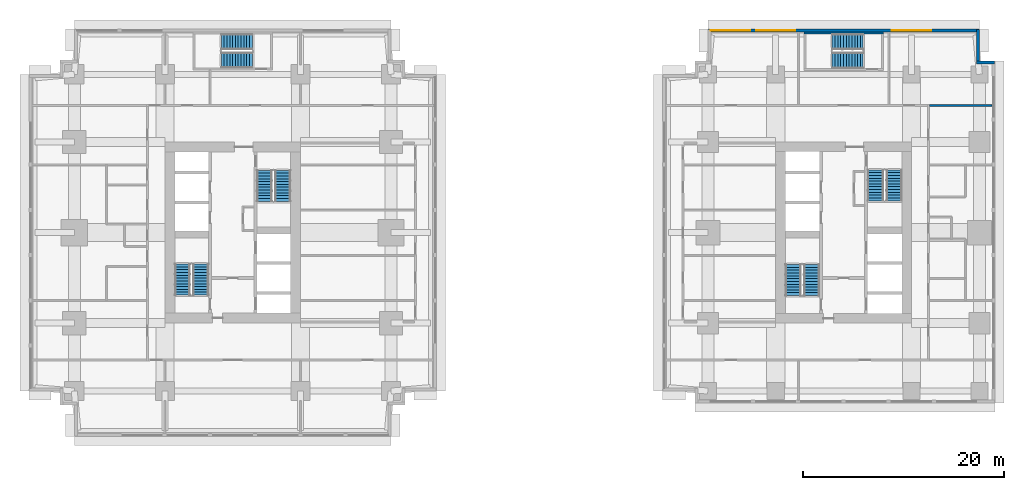
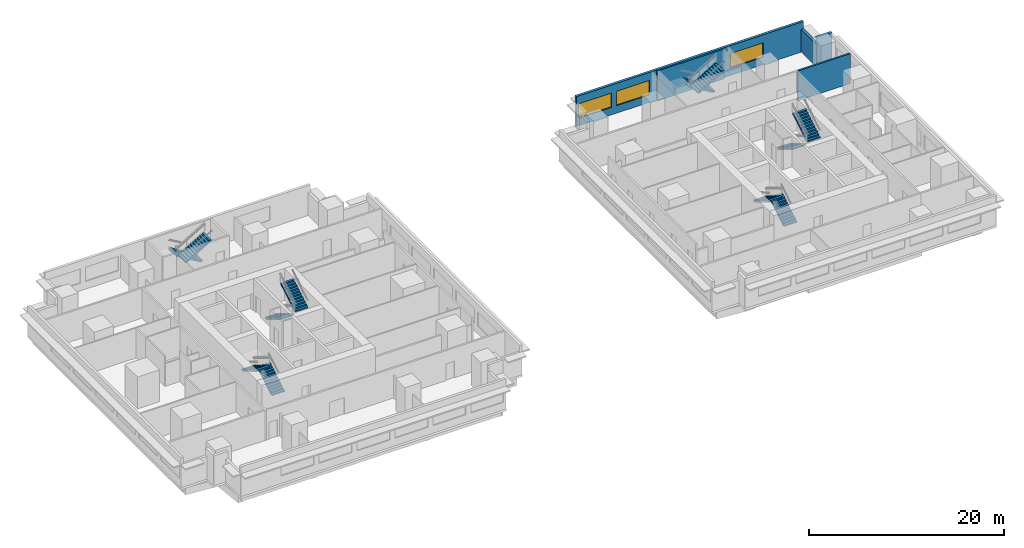
# One storey, part 8 of 11: 12 stair flights, 5 walls, 3 windows, 3 openings, 6 elements without a shape of their own.
"""IFC4 building model written with IfcOpenShell, lengths in metres."""

from ifc_helpers import new_model, si_unit, direction, frame, frame_2d, origin, place, context, subcontext, project, spatial, polyline, rectangle, outline, extrude, material, layer, layer_set, type_object, element, fill, aggregate, save


model = new_model("IFC4")

# Units and contexts
model_context = context("Model", 3, precision=1e-05, world=origin(), true_north=direction((0.0, 1.0)))
body_context = subcontext(model_context, "Body", "Model", "MODEL_VIEW")
ifc_project = project(units=[si_unit("LENGTHUNIT", "METRE"), si_unit("AREAUNIT", "SQUARE_METRE"), si_unit("VOLUMEUNIT", "CUBIC_METRE"), si_unit("PLANEANGLEUNIT", "RADIAN"), si_unit("MASSUNIT", "GRAM", prefix="KILO")], contexts=[model_context])

# Site, building, storey
site_placement = place(None, origin())
site = spatial("IfcSite", under=ifc_project, at=site_placement, CompositionType="ELEMENT")
building_placement = place(site_placement, origin())
building = spatial("IfcBuilding", under=site, at=building_placement, Name="Namib Vertical Campus", CompositionType="ELEMENT")
storey_placement = place(building_placement, frame((0.0, 0.0, 89.0)))
storey = spatial("IfcBuildingStorey", under=building, at=storey_placement, Name="L20", CompositionType="ELEMENT", Elevation=89.0)

# Walls
ifc_material_1 = material(Name="Concrete masonry", Category="masonry")
ifc_layer_1 = layer(ifc_material_1, 0.199951171875)
ifc_layer_set_1 = layer_set([ifc_layer_1], Name="Corridor wall 200")
wall_type_1 = type_object("IfcWallType", Name="Corridor wall 200", PredefinedType="SOLIDWALL", material=ifc_layer_set_1)
wall_1_placement = place(storey_placement, frame((89.550048828125, 32.89990234375, 0.0), z_axis=(0.0, 0.0, 1.0), x_axis=(1.0, 0.0, 0.0)))
element("IfcWall", 1, at=wall_1_placement, inside=storey, type_object=wall_type_1, Name="Partition B L20 BNE", PredefinedType="SOLIDWALL", context=body_context, shape_type="SweptSolid", body=[
    extrude(rectangle(XDim=6.199951171875, YDim=0.199951171875, at=frame_2d((3.10009765625, 0.0))), origin(), (0.0, 0.0, 1.0), 3.75),
])
ifc_material_2 = material(Name="Concrete C40/50", Category="concrete")
ifc_layer_2 = layer(ifc_material_2, 0.300048828125)
ifc_layer_set_2 = layer_set([ifc_layer_2], Name="Concrete C40/50")
wall_type_2 = type_object("IfcWallType", Name="External wall 300 board-marked concrete", PredefinedType="STANDARD", material=ifc_layer_set_2)
wall_2_placement = place(storey_placement, frame((96.030029296875, 37.14990234375, 0.0), z_axis=(0.0, 0.0, 1.0), x_axis=(-1.0, 0.0, 0.0)))
element("IfcWall", 2, at=wall_2_placement, inside=storey, type_object=wall_type_2, Name="External wall L20 F05", PredefinedType="STANDARD", context=body_context, shape_type="SweptSolid", body=[
    extrude(rectangle(XDim=1.81005859375, YDim=0.300048828125, at=frame_2d((0.905029296875, 0.0))), origin(), (0.0, 0.0, 1.0), 3.75),
])
wall_3_placement = place(storey_placement, frame((94.35009765625, 37.02001953125, 0.0), z_axis=(0.0, 0.0, 1.0), x_axis=(0.0, 1.0, 0.0)))
element("IfcWall", 3, at=wall_3_placement, inside=storey, type_object=wall_type_2, Name="External wall L20 F06", PredefinedType="STANDARD", context=body_context, shape_type="SweptSolid", body=[
    extrude(rectangle(XDim=3.4599609375, YDim=0.300048828125, at=frame_2d((1.72998046875, 0.0))), origin(), (0.0, 0.0, 1.0), 2.85009765625),
])

# Wall, openings, windows
wall_4_placement = place(storey_placement, frame((94.47998046875, 40.35009765625, 0.0), z_axis=(0.0, 0.0, 1.0), x_axis=(-1.0, 0.0, 0.0)))
wall_4 = element("IfcWall", 4, at=wall_4_placement, inside=storey, type_object=wall_type_2, Name="External wall L20 F07", PredefinedType="STANDARD", context=body_context, shape_type="SweptSolid", body=[
    extrude(rectangle(XDim=26.9599609375, YDim=0.300048828125, at=frame_2d((13.47998046875, 0.0))), origin(), (0.0, 0.0, 1.0), 3.75),
])
opening_1_placement = place(wall_4_placement, frame((22.780029296875, 0.0, 0.949951171875)))
opening_1 = element("IfcOpeningElement", 5, at=opening_1_placement, cuts=wall_4, Name="Opening W3", PredefinedType="OPENING", context=body_context, shape_type="SweptSolid", body=[
    extrude(rectangle(XDim=3.89990234375, YDim=1.800048828125, at=frame_2d((1.949951171875, 0.89990234375))), frame((0.0, 0.159912109375, 0.0), z_axis=(0.0, -1.0, 0.0), x_axis=(1.0, 0.0, 0.0)), (0.0, 0.0, 1.0), 0.320068359375),
])
opening_2_placement = place(wall_4_placement, frame((18.280029296875, 0.0, 0.949951171875)))
opening_2 = element("IfcOpeningElement", 6, at=opening_2_placement, cuts=wall_4, Name="Opening W3", PredefinedType="OPENING", context=body_context, shape_type="SweptSolid", body=[
    extrude(rectangle(XDim=3.89990234375, YDim=1.800048828125, at=frame_2d((1.949951171875, 0.89990234375))), frame((0.0, 0.159912109375, 0.0), z_axis=(0.0, -1.0, 0.0), x_axis=(1.0, 0.0, 0.0)), (0.0, 0.0, 1.0), 0.320068359375),
])
opening_3_placement = place(wall_4_placement, frame((4.780029296875, 0.0, 0.949951171875)))
opening_3 = element("IfcOpeningElement", 7, at=opening_3_placement, cuts=wall_4, Name="Opening W3", PredefinedType="OPENING", context=body_context, shape_type="SweptSolid", body=[
    extrude(rectangle(XDim=3.89990234375, YDim=1.800048828125, at=frame_2d((1.949951171875, 0.89990234375))), frame((0.0, 0.159912109375, 0.0), z_axis=(0.0, -1.0, 0.0), x_axis=(1.0, 0.0, 0.0)), (0.0, 0.0, 1.0), 0.320068359375),
])
ifc_material_3 = material(Name="Dark tinted glass in black aluminium frame", Category="aluminium")
window_type = type_object("IfcWindowType", Name="Ribbon window 3900x1800", PartitioningType="SINGLE_PANEL", PredefinedType="WINDOW", material=ifc_material_3)
window_1_placement = place(opening_1_placement, origin())
window_1 = element("IfcWindow", 8, at=window_1_placement, inside=storey, type_object=window_type, Name="Window W3 L20 F07-1", OverallHeight=1.800048828125, OverallWidth=3.89990234375, PartitioningType="SINGLE_PANEL", PredefinedType="WINDOW", context=body_context, shape_type="SweptSolid", body=[
    extrude(rectangle(XDim=3.89990234375, YDim=1.800048828125, at=frame_2d((1.949951171875, 0.89990234375))), frame((0.0, 0.030029296875, 0.0), z_axis=(0.0, -1.0, 0.0), x_axis=(1.0, 0.0, 0.0)), (0.0, 0.0, 1.0), 0.06005859375),
])
fill(opening_1, window_1)
window_2_placement = place(opening_2_placement, origin())
window_2 = element("IfcWindow", 9, at=window_2_placement, inside=storey, type_object=window_type, Name="Window W3 L20 F07-2", OverallHeight=1.800048828125, OverallWidth=3.89990234375, PartitioningType="SINGLE_PANEL", PredefinedType="WINDOW", context=body_context, shape_type="SweptSolid", body=[
    extrude(rectangle(XDim=3.89990234375, YDim=1.800048828125, at=frame_2d((1.949951171875, 0.89990234375))), frame((0.0, 0.030029296875, 0.0), z_axis=(0.0, -1.0, 0.0), x_axis=(1.0, 0.0, 0.0)), (0.0, 0.0, 1.0), 0.06005859375),
])
fill(opening_2, window_2)
window_3_placement = place(opening_3_placement, origin())
window_3 = element("IfcWindow", 10, at=window_3_placement, inside=storey, type_object=window_type, Name="Window W3 L20 F07-5", OverallHeight=1.800048828125, OverallWidth=3.89990234375, PartitioningType="SINGLE_PANEL", PredefinedType="WINDOW", context=body_context, shape_type="SweptSolid", body=[
    extrude(rectangle(XDim=3.89990234375, YDim=1.800048828125, at=frame_2d((1.949951171875, 0.89990234375))), frame((0.0, 0.030029296875, 0.0), z_axis=(0.0, -1.0, 0.0), x_axis=(1.0, 0.0, 0.0)), (0.0, 0.0, 1.0), 0.06005859375),
])
fill(opening_3, window_3)

# Wall
ifc_material_4 = material(Name="Concrete C40/50", Category="concrete")
ifc_layer_3 = layer(ifc_material_4, 0.199951171875)
ifc_layer_set_3 = layer_set([ifc_layer_3], Name="Concrete C40/50")
wall_type_3 = type_object("IfcWallType", Name="Stair enclosure wall RC 200", PredefinedType="SOLIDWALL", material=ifc_layer_set_3)
wall_5_placement = place(storey_placement, frame((77.050048828125, 40.10009765625, 0.0), z_axis=(0.0, 0.0, 1.0), x_axis=(1.0, 0.0, 0.0)))
element("IfcWall", 11, at=wall_5_placement, inside=storey, type_object=wall_type_3, Name="Stair enclosure wall B-S3 L20 N", PredefinedType="SOLIDWALL", context=body_context, shape_type="SweptSolid", body=[
    extrude(rectangle(XDim=7.89990234375, YDim=0.199951171875, at=frame_2d((3.949951171875, 0.0))), origin(), (0.0, 0.0, 1.0), 3.75),
])

# Stair, stair flights
ifc_material_5 = material(Name="Concrete C40/50 precast", Category="concrete")
stair_type_1 = type_object("IfcStairType", Name="Exit stair 4000 rise 24 risers 3350 wide", PredefinedType="HALF_TURN_STAIR", material=ifc_material_5)
stair_1_placement = place(storey_placement, origin())
stair_1 = element("IfcStair", 12, at=stair_1_placement, inside=storey, type_object=stair_type_1, Name="Exit stair A-S1 L20", PredefinedType="HALF_TURN_STAIR")
ifc_material_6 = material(Name="Concrete C40/50 precast", Category="concrete")
stair_flight_type_1 = type_object("IfcStairFlightType", Name="Stair flight 12 risers 167 1525 wide", PredefinedType="STRAIGHT", material=ifc_material_6)
stair_flight_1_placement = place(storey_placement, frame((17.08740234375, 14.050048828125, 0.0), z_axis=(0.0, 0.0, 1.0), x_axis=(0.0, 1.0, 0.0)))
stair_flight_1 = element("IfcStairFlight", 13, at=stair_flight_1_placement, type_object=stair_flight_type_1, Name="A-S1 flight 1", NumberOfRisers=12, NumberOfTreads=11, PredefinedType="STRAIGHT", RiserHeight=0.166666667, TreadLength=0.28, context=body_context, shape_type="SweptSolid", body=[
    extrude(outline(polyline([(0.0, 0.0), (0.0, 0.166748046875), (0.280029296875, 0.166748046875), (0.280029296875, 0.333251953125), (0.56005859375, 0.333251953125), (0.56005859375, 0.5), (0.840087890625, 0.5), (0.840087890625, 0.666748046875), (1.1201171875, 0.666748046875), (1.1201171875, 0.833251953125), (1.39990234375, 0.833251953125), (1.39990234375, 1.0), (1.679931640625, 1.0), (1.679931640625, 1.166748046875), (1.9599609375, 1.166748046875), (1.9599609375, 1.333251953125), (2.239990234375, 1.333251953125), (2.239990234375, 1.5), (2.52001953125, 1.5), (2.52001953125, 1.666748046875), (2.800048828125, 1.666748046875), (2.800048828125, 1.833251953125), (3.080078125, 1.833251953125), (3.080078125, 2.0), (3.080078125, 1.658935546875), (0.29296875, 0.0), (0.0, 0.0)])), frame((0.0, 0.762451171875, 0.0), z_axis=(0.0, -1.0, 0.0), x_axis=(1.0, 0.0, 0.0)), (0.0, 0.0, 1.0), 1.52490234375),
])
stair_flight_2_placement = place(storey_placement, frame((15.262451171875, 17.1298828125, 2.0), z_axis=(0.0, 0.0, 1.0), x_axis=(0.0, -1.0, 0.0)))
stair_flight_2 = element("IfcStairFlight", 14, at=stair_flight_2_placement, type_object=stair_flight_type_1, Name="A-S1 flight 2", NumberOfRisers=12, NumberOfTreads=11, PredefinedType="STRAIGHT", RiserHeight=0.166666667, TreadLength=0.28, context=body_context, shape_type="SweptSolid", body=[
    extrude(outline(polyline([(0.0, 0.0), (0.0, 0.166748046875), (0.280029296875, 0.166748046875), (0.280029296875, 0.333251953125), (0.56005859375, 0.333251953125), (0.56005859375, 0.5), (0.840087890625, 0.5), (0.840087890625, 0.666748046875), (1.1201171875, 0.666748046875), (1.1201171875, 0.833251953125), (1.39990234375, 0.833251953125), (1.39990234375, 1.0), (1.679931640625, 1.0), (1.679931640625, 1.166748046875), (1.9599609375, 1.166748046875), (1.9599609375, 1.333251953125), (2.239990234375, 1.333251953125), (2.239990234375, 1.5), (2.52001953125, 1.5), (2.52001953125, 1.666748046875), (2.800048828125, 1.666748046875), (2.800048828125, 1.833251953125), (3.080078125, 1.833251953125), (3.080078125, 2.0), (3.080078125, 1.658935546875), (0.29296875, 0.0), (0.0, 0.0)])), frame((0.0, 0.762451171875, 0.0), z_axis=(0.0, -1.0, 0.0), x_axis=(1.0, 0.0, 0.0)), (0.0, 0.0, 1.0), 1.52490234375),
])
aggregate(stair_1, [stair_flight_1, stair_flight_2])

stair_2_placement = place(storey_placement, origin())
stair_2 = element("IfcStair", 15, at=stair_2_placement, inside=storey, type_object=stair_type_1, Name="Exit stair A-S2 L20", PredefinedType="HALF_TURN_STAIR")
stair_flight_3_placement = place(storey_placement, frame((23.41259765625, 26.449951171875, 0.0), z_axis=(0.0, 0.0, 1.0), x_axis=(0.0, -1.0, 0.0)))
stair_flight_3 = element("IfcStairFlight", 16, at=stair_flight_3_placement, type_object=stair_flight_type_1, Name="A-S2 flight 1", NumberOfRisers=12, NumberOfTreads=11, PredefinedType="STRAIGHT", RiserHeight=0.166666667, TreadLength=0.28, context=body_context, shape_type="SweptSolid", body=[
    extrude(outline(polyline([(0.0, 0.0), (0.0, 0.166748046875), (0.280029296875, 0.166748046875), (0.280029296875, 0.333251953125), (0.56005859375, 0.333251953125), (0.56005859375, 0.5), (0.840087890625, 0.5), (0.840087890625, 0.666748046875), (1.1201171875, 0.666748046875), (1.1201171875, 0.833251953125), (1.39990234375, 0.833251953125), (1.39990234375, 1.0), (1.679931640625, 1.0), (1.679931640625, 1.166748046875), (1.9599609375, 1.166748046875), (1.9599609375, 1.333251953125), (2.239990234375, 1.333251953125), (2.239990234375, 1.5), (2.52001953125, 1.5), (2.52001953125, 1.666748046875), (2.800048828125, 1.666748046875), (2.800048828125, 1.833251953125), (3.080078125, 1.833251953125), (3.080078125, 2.0), (3.080078125, 1.658935546875), (0.29296875, 0.0), (0.0, 0.0)])), frame((0.0, 0.762451171875, 0.0), z_axis=(0.0, -1.0, 0.0), x_axis=(1.0, 0.0, 0.0)), (0.0, 0.0, 1.0), 1.52490234375),
])
stair_flight_4_placement = place(storey_placement, frame((25.237548828125, 23.3701171875, 2.0), z_axis=(0.0, 0.0, 1.0), x_axis=(0.0, 1.0, 0.0)))
stair_flight_4 = element("IfcStairFlight", 17, at=stair_flight_4_placement, type_object=stair_flight_type_1, Name="A-S2 flight 2", NumberOfRisers=12, NumberOfTreads=11, PredefinedType="STRAIGHT", RiserHeight=0.166666667, TreadLength=0.28, context=body_context, shape_type="SweptSolid", body=[
    extrude(outline(polyline([(0.0, 0.0), (0.0, 0.166748046875), (0.280029296875, 0.166748046875), (0.280029296875, 0.333251953125), (0.56005859375, 0.333251953125), (0.56005859375, 0.5), (0.840087890625, 0.5), (0.840087890625, 0.666748046875), (1.1201171875, 0.666748046875), (1.1201171875, 0.833251953125), (1.39990234375, 0.833251953125), (1.39990234375, 1.0), (1.679931640625, 1.0), (1.679931640625, 1.166748046875), (1.9599609375, 1.166748046875), (1.9599609375, 1.333251953125), (2.239990234375, 1.333251953125), (2.239990234375, 1.5), (2.52001953125, 1.5), (2.52001953125, 1.666748046875), (2.800048828125, 1.666748046875), (2.800048828125, 1.833251953125), (3.080078125, 1.833251953125), (3.080078125, 2.0), (3.080078125, 1.658935546875), (0.29296875, 0.0), (0.0, 0.0)])), frame((0.0, 0.762451171875, 0.0), z_axis=(0.0, -1.0, 0.0), x_axis=(1.0, 0.0, 0.0)), (0.0, 0.0, 1.0), 1.52490234375),
])
aggregate(stair_2, [stair_flight_3, stair_flight_4])

stair_3_placement = place(storey_placement, origin())
stair_3 = element("IfcStair", 18, at=stair_3_placement, inside=storey, type_object=stair_type_1, Name="Exit stair A-S3 L20", PredefinedType="HALF_TURN_STAIR")
stair_flight_5_placement = place(storey_placement, frame((22.199951171875, 39.237548828125, 0.0), z_axis=(0.0, 0.0, 1.0), x_axis=(-1.0, 0.0, 0.0)))
stair_flight_5 = element("IfcStairFlight", 19, at=stair_flight_5_placement, type_object=stair_flight_type_1, Name="A-S3 flight 1", NumberOfRisers=12, NumberOfTreads=11, PredefinedType="STRAIGHT", RiserHeight=0.166666667, TreadLength=0.28, context=body_context, shape_type="SweptSolid", body=[
    extrude(outline(polyline([(0.0, 0.0), (0.0, 0.166748046875), (0.280029296875, 0.166748046875), (0.280029296875, 0.333251953125), (0.56005859375, 0.333251953125), (0.56005859375, 0.5), (0.840087890625, 0.5), (0.840087890625, 0.666748046875), (1.1201171875, 0.666748046875), (1.1201171875, 0.833251953125), (1.39990234375, 0.833251953125), (1.39990234375, 1.0), (1.679931640625, 1.0), (1.679931640625, 1.166748046875), (1.9599609375, 1.166748046875), (1.9599609375, 1.333251953125), (2.239990234375, 1.333251953125), (2.239990234375, 1.5), (2.52001953125, 1.5), (2.52001953125, 1.666748046875), (2.800048828125, 1.666748046875), (2.800048828125, 1.833251953125), (3.080078125, 1.833251953125), (3.080078125, 2.0), (3.080078125, 1.658935546875), (0.29296875, 0.0), (0.0, 0.0)])), frame((0.0, 0.762451171875, 0.0), z_axis=(0.0, -1.0, 0.0), x_axis=(1.0, 0.0, 0.0)), (0.0, 0.0, 1.0), 1.52490234375),
])
stair_flight_6_placement = place(storey_placement, frame((19.1201171875, 37.41259765625, 2.0), z_axis=(0.0, 0.0, 1.0), x_axis=(1.0, 0.0, 0.0)))
stair_flight_6 = element("IfcStairFlight", 20, at=stair_flight_6_placement, type_object=stair_flight_type_1, Name="A-S3 flight 2", NumberOfRisers=12, NumberOfTreads=11, PredefinedType="STRAIGHT", RiserHeight=0.166666667, TreadLength=0.28, context=body_context, shape_type="SweptSolid", body=[
    extrude(outline(polyline([(0.0, 0.0), (0.0, 0.166748046875), (0.280029296875, 0.166748046875), (0.280029296875, 0.333251953125), (0.56005859375, 0.333251953125), (0.56005859375, 0.5), (0.840087890625, 0.5), (0.840087890625, 0.666748046875), (1.1201171875, 0.666748046875), (1.1201171875, 0.833251953125), (1.39990234375, 0.833251953125), (1.39990234375, 1.0), (1.679931640625, 1.0), (1.679931640625, 1.166748046875), (1.9599609375, 1.166748046875), (1.9599609375, 1.333251953125), (2.239990234375, 1.333251953125), (2.239990234375, 1.5), (2.52001953125, 1.5), (2.52001953125, 1.666748046875), (2.800048828125, 1.666748046875), (2.800048828125, 1.833251953125), (3.080078125, 1.833251953125), (3.080078125, 2.0), (3.080078125, 1.658935546875), (0.29296875, 0.0), (0.0, 0.0)])), frame((0.0, 0.762451171875, 0.0), z_axis=(0.0, -1.0, 0.0), x_axis=(1.0, 0.0, 0.0)), (0.0, 0.0, 1.0), 1.52490234375),
])
aggregate(stair_3, [stair_flight_5, stair_flight_6])

ifc_material_7 = material(Name="Concrete C40/50 precast", Category="concrete")
stair_type_2 = type_object("IfcStairType", Name="Exit stair 4000 rise 24 risers 3400 wide", PredefinedType="HALF_TURN_STAIR", material=ifc_material_7)
stair_4_placement = place(storey_placement, origin())
stair_4 = element("IfcStair", 21, at=stair_4_placement, inside=storey, type_object=stair_type_2, Name="Exit stair B-S1 L20", PredefinedType="HALF_TURN_STAIR")
ifc_material_8 = material(Name="Concrete C40/50 precast", Category="concrete")
stair_flight_type_2 = type_object("IfcStairFlightType", Name="Stair flight 12 risers 167 1550 wide", PredefinedType="STRAIGHT", material=ifc_material_8)
stair_flight_7_placement = place(storey_placement, frame((77.824951171875, 14.0, 0.0), z_axis=(0.0, 0.0, 1.0), x_axis=(0.0, 1.0, 0.0)))
stair_flight_7 = element("IfcStairFlight", 22, at=stair_flight_7_placement, type_object=stair_flight_type_2, Name="B-S1 flight 1", NumberOfRisers=12, NumberOfTreads=11, PredefinedType="STRAIGHT", RiserHeight=0.166666667, TreadLength=0.28, context=body_context, shape_type="SweptSolid", body=[
    extrude(outline(polyline([(0.0, 0.0), (0.0, 0.166748046875), (0.280029296875, 0.166748046875), (0.280029296875, 0.333251953125), (0.56005859375, 0.333251953125), (0.56005859375, 0.5), (0.840087890625, 0.5), (0.840087890625, 0.666748046875), (1.1201171875, 0.666748046875), (1.1201171875, 0.833251953125), (1.39990234375, 0.833251953125), (1.39990234375, 1.0), (1.679931640625, 1.0), (1.679931640625, 1.166748046875), (1.9599609375, 1.166748046875), (1.9599609375, 1.333251953125), (2.239990234375, 1.333251953125), (2.239990234375, 1.5), (2.52001953125, 1.5), (2.52001953125, 1.666748046875), (2.800048828125, 1.666748046875), (2.800048828125, 1.833251953125), (3.080078125, 1.833251953125), (3.080078125, 2.0), (3.080078125, 1.658935546875), (0.29296875, 0.0), (0.0, 0.0)])), frame((0.0, 0.77490234375, 0.0), z_axis=(0.0, -1.0, 0.0), x_axis=(1.0, 0.0, 0.0)), (0.0, 0.0, 1.0), 1.550048828125),
])
stair_flight_8_placement = place(storey_placement, frame((75.97509765625, 17.080078125, 2.0), z_axis=(0.0, 0.0, 1.0), x_axis=(0.0, -1.0, 0.0)))
stair_flight_8 = element("IfcStairFlight", 23, at=stair_flight_8_placement, type_object=stair_flight_type_2, Name="B-S1 flight 2", NumberOfRisers=12, NumberOfTreads=11, PredefinedType="STRAIGHT", RiserHeight=0.166666667, TreadLength=0.28, context=body_context, shape_type="SweptSolid", body=[
    extrude(outline(polyline([(0.0, 0.0), (0.0, 0.166748046875), (0.280029296875, 0.166748046875), (0.280029296875, 0.333251953125), (0.56005859375, 0.333251953125), (0.56005859375, 0.5), (0.840087890625, 0.5), (0.840087890625, 0.666748046875), (1.1201171875, 0.666748046875), (1.1201171875, 0.833251953125), (1.39990234375, 0.833251953125), (1.39990234375, 1.0), (1.679931640625, 1.0), (1.679931640625, 1.166748046875), (1.9599609375, 1.166748046875), (1.9599609375, 1.333251953125), (2.239990234375, 1.333251953125), (2.239990234375, 1.5), (2.52001953125, 1.5), (2.52001953125, 1.666748046875), (2.800048828125, 1.666748046875), (2.800048828125, 1.833251953125), (3.080078125, 1.833251953125), (3.080078125, 2.0), (3.080078125, 1.658935546875), (0.29296875, 0.0), (0.0, 0.0)])), frame((0.0, 0.77490234375, 0.0), z_axis=(0.0, -1.0, 0.0), x_axis=(1.0, 0.0, 0.0)), (0.0, 0.0, 1.0), 1.550048828125),
])
aggregate(stair_4, [stair_flight_7, stair_flight_8])

stair_5_placement = place(storey_placement, origin())
stair_5 = element("IfcStair", 24, at=stair_5_placement, inside=storey, type_object=stair_type_2, Name="Exit stair B-S2 L20", PredefinedType="HALF_TURN_STAIR")
stair_flight_9_placement = place(storey_placement, frame((84.175048828125, 26.5, 0.0), z_axis=(0.0, 0.0, 1.0), x_axis=(0.0, -1.0, 0.0)))
stair_flight_9 = element("IfcStairFlight", 25, at=stair_flight_9_placement, type_object=stair_flight_type_2, Name="B-S2 flight 1", NumberOfRisers=12, NumberOfTreads=11, PredefinedType="STRAIGHT", RiserHeight=0.166666667, TreadLength=0.28, context=body_context, shape_type="SweptSolid", body=[
    extrude(outline(polyline([(0.0, 0.0), (0.0, 0.166748046875), (0.280029296875, 0.166748046875), (0.280029296875, 0.333251953125), (0.56005859375, 0.333251953125), (0.56005859375, 0.5), (0.840087890625, 0.5), (0.840087890625, 0.666748046875), (1.1201171875, 0.666748046875), (1.1201171875, 0.833251953125), (1.39990234375, 0.833251953125), (1.39990234375, 1.0), (1.679931640625, 1.0), (1.679931640625, 1.166748046875), (1.9599609375, 1.166748046875), (1.9599609375, 1.333251953125), (2.239990234375, 1.333251953125), (2.239990234375, 1.5), (2.52001953125, 1.5), (2.52001953125, 1.666748046875), (2.800048828125, 1.666748046875), (2.800048828125, 1.833251953125), (3.080078125, 1.833251953125), (3.080078125, 2.0), (3.080078125, 1.658935546875), (0.29296875, 0.0), (0.0, 0.0)])), frame((0.0, 0.77490234375, 0.0), z_axis=(0.0, -1.0, 0.0), x_axis=(1.0, 0.0, 0.0)), (0.0, 0.0, 1.0), 1.550048828125),
])
stair_flight_10_placement = place(storey_placement, frame((86.02490234375, 23.419921875, 2.0), z_axis=(0.0, 0.0, 1.0), x_axis=(0.0, 1.0, 0.0)))
stair_flight_10 = element("IfcStairFlight", 26, at=stair_flight_10_placement, type_object=stair_flight_type_2, Name="B-S2 flight 2", NumberOfRisers=12, NumberOfTreads=11, PredefinedType="STRAIGHT", RiserHeight=0.166666667, TreadLength=0.28, context=body_context, shape_type="SweptSolid", body=[
    extrude(outline(polyline([(0.0, 0.0), (0.0, 0.166748046875), (0.280029296875, 0.166748046875), (0.280029296875, 0.333251953125), (0.56005859375, 0.333251953125), (0.56005859375, 0.5), (0.840087890625, 0.5), (0.840087890625, 0.666748046875), (1.1201171875, 0.666748046875), (1.1201171875, 0.833251953125), (1.39990234375, 0.833251953125), (1.39990234375, 1.0), (1.679931640625, 1.0), (1.679931640625, 1.166748046875), (1.9599609375, 1.166748046875), (1.9599609375, 1.333251953125), (2.239990234375, 1.333251953125), (2.239990234375, 1.5), (2.52001953125, 1.5), (2.52001953125, 1.666748046875), (2.800048828125, 1.666748046875), (2.800048828125, 1.833251953125), (3.080078125, 1.833251953125), (3.080078125, 2.0), (3.080078125, 1.658935546875), (0.29296875, 0.0), (0.0, 0.0)])), frame((0.0, 0.77490234375, 0.0), z_axis=(0.0, -1.0, 0.0), x_axis=(1.0, 0.0, 0.0)), (0.0, 0.0, 1.0), 1.550048828125),
])
aggregate(stair_5, [stair_flight_9, stair_flight_10])

stair_6_placement = place(storey_placement, origin())
stair_6 = element("IfcStair", 27, at=stair_6_placement, inside=storey, type_object=stair_type_2, Name="Exit stair B-S3 L20", PredefinedType="HALF_TURN_STAIR")
stair_flight_11_placement = place(storey_placement, frame((82.949951171875, 39.22509765625, 0.0), z_axis=(0.0, 0.0, 1.0), x_axis=(-1.0, 0.0, 0.0)))
stair_flight_11 = element("IfcStairFlight", 28, at=stair_flight_11_placement, type_object=stair_flight_type_2, Name="B-S3 flight 1", NumberOfRisers=12, NumberOfTreads=11, PredefinedType="STRAIGHT", RiserHeight=0.166666667, TreadLength=0.28, context=body_context, shape_type="SweptSolid", body=[
    extrude(outline(polyline([(0.0, 0.0), (0.0, 0.166748046875), (0.280029296875, 0.166748046875), (0.280029296875, 0.333251953125), (0.56005859375, 0.333251953125), (0.56005859375, 0.5), (0.840087890625, 0.5), (0.840087890625, 0.666748046875), (1.1201171875, 0.666748046875), (1.1201171875, 0.833251953125), (1.39990234375, 0.833251953125), (1.39990234375, 1.0), (1.679931640625, 1.0), (1.679931640625, 1.166748046875), (1.9599609375, 1.166748046875), (1.9599609375, 1.333251953125), (2.239990234375, 1.333251953125), (2.239990234375, 1.5), (2.52001953125, 1.5), (2.52001953125, 1.666748046875), (2.800048828125, 1.666748046875), (2.800048828125, 1.833251953125), (3.080078125, 1.833251953125), (3.080078125, 2.0), (3.080078125, 1.658935546875), (0.29296875, 0.0), (0.0, 0.0)])), frame((0.0, 0.77490234375, 0.0), z_axis=(0.0, -1.0, 0.0), x_axis=(1.0, 0.0, 0.0)), (0.0, 0.0, 1.0), 1.550048828125),
])
stair_flight_12_placement = place(storey_placement, frame((79.8701171875, 37.375, 2.0), z_axis=(0.0, 0.0, 1.0), x_axis=(1.0, 0.0, 0.0)))
stair_flight_12 = element("IfcStairFlight", 29, at=stair_flight_12_placement, type_object=stair_flight_type_2, Name="B-S3 flight 2", NumberOfRisers=12, NumberOfTreads=11, PredefinedType="STRAIGHT", RiserHeight=0.166666667, TreadLength=0.28, context=body_context, shape_type="SweptSolid", body=[
    extrude(outline(polyline([(0.0, 0.0), (0.0, 0.166748046875), (0.280029296875, 0.166748046875), (0.280029296875, 0.333251953125), (0.56005859375, 0.333251953125), (0.56005859375, 0.5), (0.840087890625, 0.5), (0.840087890625, 0.666748046875), (1.1201171875, 0.666748046875), (1.1201171875, 0.833251953125), (1.39990234375, 0.833251953125), (1.39990234375, 1.0), (1.679931640625, 1.0), (1.679931640625, 1.166748046875), (1.9599609375, 1.166748046875), (1.9599609375, 1.333251953125), (2.239990234375, 1.333251953125), (2.239990234375, 1.5), (2.52001953125, 1.5), (2.52001953125, 1.666748046875), (2.800048828125, 1.666748046875), (2.800048828125, 1.833251953125), (3.080078125, 1.833251953125), (3.080078125, 2.0), (3.080078125, 1.658935546875), (0.29296875, 0.0), (0.0, 0.0)])), frame((0.0, 0.77490234375, 0.0), z_axis=(0.0, -1.0, 0.0), x_axis=(1.0, 0.0, 0.0)), (0.0, 0.0, 1.0), 1.550048828125),
])
aggregate(stair_6, [stair_flight_11, stair_flight_12])

save(model, "model.ifc")
